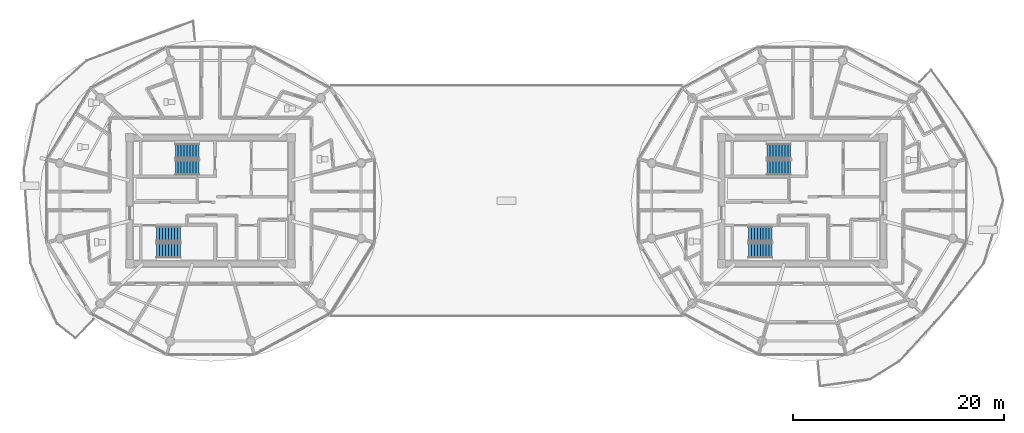
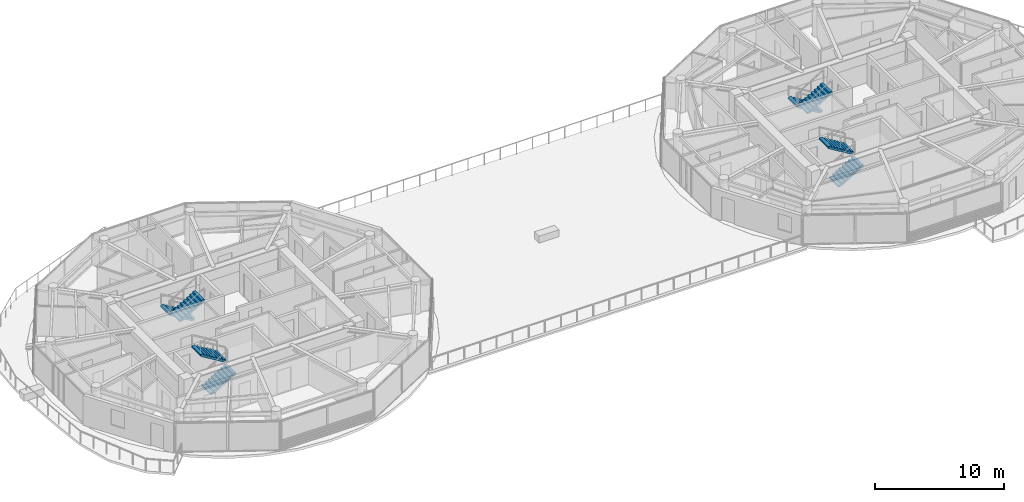
# One storey, part 20 of 30: 8 stair flights, 4 elements without a shape of their own.
"""IFC4 building model written with IfcOpenShell, lengths in metres."""

from ifc_helpers import new_model, si_unit, direction, frame, origin, place, context, subcontext, project, spatial, polyline, outline, extrude, material, type_object, element, aggregate, save


model = new_model("IFC4")

# Units and contexts
model_context = context("Model", 3, precision=1e-05, world=origin(), true_north=direction((0.0, 1.0)))
body_context = subcontext(model_context, "Body", "Model", "MODEL_VIEW")
ifc_project = project(units=[si_unit("LENGTHUNIT", "METRE"), si_unit("AREAUNIT", "SQUARE_METRE"), si_unit("VOLUMEUNIT", "CUBIC_METRE"), si_unit("PLANEANGLEUNIT", "RADIAN"), si_unit("MASSUNIT", "GRAM", prefix="KILO")], contexts=[model_context])

# Site, building, storey
site_placement = place(None, origin())
site = spatial("IfcSite", under=ifc_project, at=site_placement, CompositionType="ELEMENT")
building_placement = place(site_placement, origin())
building = spatial("IfcBuilding", under=site, at=building_placement, Name="Norrkilde Senior Care Towers", CompositionType="ELEMENT")
storey_placement = place(building_placement, frame((0.0, 0.0, 232.199951171875)))
storey = spatial("IfcBuildingStorey", under=building, at=storey_placement, Name="L72", CompositionType="ELEMENT", Elevation=232.199951171875)

# Stair, stair flights
ifc_material = material(Name="Concrete C45/55", Category="concrete")
stair_type = type_object("IfcStairType", Name="Core Protected Dogleg Stair Typical 3050", PredefinedType="HALF_TURN_STAIR", material=ifc_material)
stair_1_placement = place(storey_placement, origin())
stair_1 = element("IfcStair", 1, at=stair_1_placement, inside=storey, type_object=stair_type, Name="L72 Protected Core Stair W1", PredefinedType="HALF_TURN_STAIR")
stair_flight_type = type_object("IfcStairFlightType", Name="Core Protected Dogleg Stair Typical 3050 Flight", PredefinedType="STRAIGHT", material=ifc_material)
stair_flight_1_placement = place(storey_placement, frame((-29.10009765625, 4.699951171875, 0.0), z_axis=(0.0, 0.0, 1.0), x_axis=(-1.0, 0.0, 0.0)))
stair_flight_1 = element("IfcStairFlight", 2, at=stair_flight_1_placement, type_object=stair_flight_type, Name="ST-W1 flight 1", NumberOfRisers=9, NumberOfTreads=8, PredefinedType="STRAIGHT", RiserHeight=0.169444444, TreadLength=0.28, context=body_context, shape_type="SweptSolid", body=[
    extrude(outline(polyline([(0.0, 0.0), (0.0, 0.16943359375), (0.280029296875, 0.16943359375), (0.280029296875, 0.3388671875), (0.56005859375, 0.3388671875), (0.56005859375, 0.50830078125), (0.840087890625, 0.50830078125), (0.840087890625, 0.677734375), (1.1201171875, 0.677734375), (1.1201171875, 0.84716796875), (1.39990234375, 0.84716796875), (1.39990234375, 1.0166015625), (1.679931640625, 1.0166015625), (1.679931640625, 1.18603515625), (1.9599609375, 1.18603515625), (1.9599609375, 1.35546875), (2.239990234375, 1.35546875), (2.239990234375, 1.52490234375), (2.239990234375, 1.180419921875), (0.28955078125, 0.0), (0.0, 0.0)])), frame((0.0, 0.699951171875, 0.0), z_axis=(0.0, -1.0, 0.0), x_axis=(1.0, 0.0, 0.0)), (0.0, 0.0, 1.0), 1.39990234375),
])
stair_flight_2_placement = place(storey_placement, frame((-31.340087890625, 3.14990234375, 1.525146484375), z_axis=(0.0, 0.0, 1.0), x_axis=(1.0, 0.0, 0.0)))
stair_flight_2 = element("IfcStairFlight", 3, at=stair_flight_2_placement, type_object=stair_flight_type, Name="ST-W1 flight 2", NumberOfRisers=9, NumberOfTreads=8, PredefinedType="STRAIGHT", RiserHeight=0.169444444, TreadLength=0.28, context=body_context, shape_type="SweptSolid", body=[
    extrude(outline(polyline([(0.0, 0.0), (0.0, 0.16943359375), (0.280029296875, 0.16943359375), (0.280029296875, 0.3388671875), (0.56005859375, 0.3388671875), (0.56005859375, 0.50830078125), (0.840087890625, 0.50830078125), (0.840087890625, 0.677734375), (1.1201171875, 0.677734375), (1.1201171875, 0.84716796875), (1.39990234375, 0.84716796875), (1.39990234375, 1.0166015625), (1.679931640625, 1.0166015625), (1.679931640625, 1.18603515625), (1.9599609375, 1.18603515625), (1.9599609375, 1.35546875), (2.239990234375, 1.35546875), (2.239990234375, 1.52490234375), (2.239990234375, 1.180419921875), (0.28955078125, 0.0), (0.0, 0.0)])), frame((0.0, 0.699951171875, 0.0), z_axis=(0.0, -1.0, 0.0), x_axis=(1.0, 0.0, 0.0)), (0.0, 0.0, 1.0), 1.39990234375),
])
aggregate(stair_1, [stair_flight_1, stair_flight_2])

stair_2_placement = place(storey_placement, origin())
stair_2 = element("IfcStair", 4, at=stair_2_placement, inside=storey, type_object=stair_type, Name="L72 Protected Core Stair W2", PredefinedType="HALF_TURN_STAIR")
stair_flight_3_placement = place(storey_placement, frame((-33.10009765625, -4.699951171875, 0.0), z_axis=(0.0, 0.0, 1.0), x_axis=(1.0, 0.0, 0.0)))
stair_flight_3 = element("IfcStairFlight", 5, at=stair_flight_3_placement, type_object=stair_flight_type, Name="ST-W2 flight 1", NumberOfRisers=9, NumberOfTreads=8, PredefinedType="STRAIGHT", RiserHeight=0.169444444, TreadLength=0.28, context=body_context, shape_type="SweptSolid", body=[
    extrude(outline(polyline([(0.0, 0.0), (0.0, 0.16943359375), (0.280029296875, 0.16943359375), (0.280029296875, 0.3388671875), (0.56005859375, 0.3388671875), (0.56005859375, 0.50830078125), (0.840087890625, 0.50830078125), (0.840087890625, 0.677734375), (1.1201171875, 0.677734375), (1.1201171875, 0.84716796875), (1.39990234375, 0.84716796875), (1.39990234375, 1.0166015625), (1.679931640625, 1.0166015625), (1.679931640625, 1.18603515625), (1.9599609375, 1.18603515625), (1.9599609375, 1.35546875), (2.239990234375, 1.35546875), (2.239990234375, 1.52490234375), (2.239990234375, 1.180419921875), (0.28955078125, 0.0), (0.0, 0.0)])), frame((0.0, 0.699951171875, 0.0), z_axis=(0.0, -1.0, 0.0), x_axis=(1.0, 0.0, 0.0)), (0.0, 0.0, 1.0), 1.39990234375),
])
stair_flight_4_placement = place(storey_placement, frame((-30.860107421875, -3.14990234375, 1.525146484375), z_axis=(0.0, 0.0, 1.0), x_axis=(-1.0, 0.0, 0.0)))
stair_flight_4 = element("IfcStairFlight", 6, at=stair_flight_4_placement, type_object=stair_flight_type, Name="ST-W2 flight 2", NumberOfRisers=9, NumberOfTreads=8, PredefinedType="STRAIGHT", RiserHeight=0.169444444, TreadLength=0.28, context=body_context, shape_type="SweptSolid", body=[
    extrude(outline(polyline([(0.0, 0.0), (0.0, 0.16943359375), (0.280029296875, 0.16943359375), (0.280029296875, 0.3388671875), (0.56005859375, 0.3388671875), (0.56005859375, 0.50830078125), (0.840087890625, 0.50830078125), (0.840087890625, 0.677734375), (1.1201171875, 0.677734375), (1.1201171875, 0.84716796875), (1.39990234375, 0.84716796875), (1.39990234375, 1.0166015625), (1.679931640625, 1.0166015625), (1.679931640625, 1.18603515625), (1.9599609375, 1.18603515625), (1.9599609375, 1.35546875), (2.239990234375, 1.35546875), (2.239990234375, 1.52490234375), (2.239990234375, 1.180419921875), (0.28955078125, 0.0), (0.0, 0.0)])), frame((0.0, 0.699951171875, 0.0), z_axis=(0.0, -1.0, 0.0), x_axis=(1.0, 0.0, 0.0)), (0.0, 0.0, 1.0), 1.39990234375),
])
aggregate(stair_2, [stair_flight_3, stair_flight_4])

stair_3_placement = place(storey_placement, origin())
stair_3 = element("IfcStair", 7, at=stair_3_placement, inside=storey, type_object=stair_type, Name="L72 Protected Core Stair E1", PredefinedType="HALF_TURN_STAIR")
stair_flight_5_placement = place(storey_placement, frame((26.89990234375, 4.699951171875, 0.0), z_axis=(0.0, 0.0, 1.0), x_axis=(-1.0, 0.0, 0.0)))
stair_flight_5 = element("IfcStairFlight", 8, at=stair_flight_5_placement, type_object=stair_flight_type, Name="ST-E1 flight 1", NumberOfRisers=9, NumberOfTreads=8, PredefinedType="STRAIGHT", RiserHeight=0.169444444, TreadLength=0.28, context=body_context, shape_type="SweptSolid", body=[
    extrude(outline(polyline([(0.0, 0.0), (0.0, 0.16943359375), (0.280029296875, 0.16943359375), (0.280029296875, 0.3388671875), (0.56005859375, 0.3388671875), (0.56005859375, 0.50830078125), (0.840087890625, 0.50830078125), (0.840087890625, 0.677734375), (1.1201171875, 0.677734375), (1.1201171875, 0.84716796875), (1.39990234375, 0.84716796875), (1.39990234375, 1.0166015625), (1.679931640625, 1.0166015625), (1.679931640625, 1.18603515625), (1.9599609375, 1.18603515625), (1.9599609375, 1.35546875), (2.239990234375, 1.35546875), (2.239990234375, 1.52490234375), (2.239990234375, 1.180419921875), (0.28955078125, 0.0), (0.0, 0.0)])), frame((0.0, 0.699951171875, 0.0), z_axis=(0.0, -1.0, 0.0), x_axis=(1.0, 0.0, 0.0)), (0.0, 0.0, 1.0), 1.39990234375),
])
stair_flight_6_placement = place(storey_placement, frame((24.659912109375, 3.14990234375, 1.525146484375), z_axis=(0.0, 0.0, 1.0), x_axis=(1.0, 0.0, 0.0)))
stair_flight_6 = element("IfcStairFlight", 9, at=stair_flight_6_placement, type_object=stair_flight_type, Name="ST-E1 flight 2", NumberOfRisers=9, NumberOfTreads=8, PredefinedType="STRAIGHT", RiserHeight=0.169444444, TreadLength=0.28, context=body_context, shape_type="SweptSolid", body=[
    extrude(outline(polyline([(0.0, 0.0), (0.0, 0.16943359375), (0.280029296875, 0.16943359375), (0.280029296875, 0.3388671875), (0.56005859375, 0.3388671875), (0.56005859375, 0.50830078125), (0.840087890625, 0.50830078125), (0.840087890625, 0.677734375), (1.1201171875, 0.677734375), (1.1201171875, 0.84716796875), (1.39990234375, 0.84716796875), (1.39990234375, 1.0166015625), (1.679931640625, 1.0166015625), (1.679931640625, 1.18603515625), (1.9599609375, 1.18603515625), (1.9599609375, 1.35546875), (2.239990234375, 1.35546875), (2.239990234375, 1.52490234375), (2.239990234375, 1.180419921875), (0.28955078125, 0.0), (0.0, 0.0)])), frame((0.0, 0.699951171875, 0.0), z_axis=(0.0, -1.0, 0.0), x_axis=(1.0, 0.0, 0.0)), (0.0, 0.0, 1.0), 1.39990234375),
])
aggregate(stair_3, [stair_flight_5, stair_flight_6])

stair_4_placement = place(storey_placement, origin())
stair_4 = element("IfcStair", 10, at=stair_4_placement, inside=storey, type_object=stair_type, Name="L72 Protected Core Stair E2", PredefinedType="HALF_TURN_STAIR")
stair_flight_7_placement = place(storey_placement, frame((22.89990234375, -4.699951171875, 0.0), z_axis=(0.0, 0.0, 1.0), x_axis=(1.0, 0.0, 0.0)))
stair_flight_7 = element("IfcStairFlight", 11, at=stair_flight_7_placement, type_object=stair_flight_type, Name="ST-E2 flight 1", NumberOfRisers=9, NumberOfTreads=8, PredefinedType="STRAIGHT", RiserHeight=0.169444444, TreadLength=0.28, context=body_context, shape_type="SweptSolid", body=[
    extrude(outline(polyline([(0.0, 0.0), (0.0, 0.16943359375), (0.280029296875, 0.16943359375), (0.280029296875, 0.3388671875), (0.56005859375, 0.3388671875), (0.56005859375, 0.50830078125), (0.840087890625, 0.50830078125), (0.840087890625, 0.677734375), (1.1201171875, 0.677734375), (1.1201171875, 0.84716796875), (1.39990234375, 0.84716796875), (1.39990234375, 1.0166015625), (1.679931640625, 1.0166015625), (1.679931640625, 1.18603515625), (1.9599609375, 1.18603515625), (1.9599609375, 1.35546875), (2.239990234375, 1.35546875), (2.239990234375, 1.52490234375), (2.239990234375, 1.180419921875), (0.28955078125, 0.0), (0.0, 0.0)])), frame((0.0, 0.699951171875, 0.0), z_axis=(0.0, -1.0, 0.0), x_axis=(1.0, 0.0, 0.0)), (0.0, 0.0, 1.0), 1.39990234375),
])
stair_flight_8_placement = place(storey_placement, frame((25.139892578125, -3.14990234375, 1.525146484375), z_axis=(0.0, 0.0, 1.0), x_axis=(-1.0, 0.0, 0.0)))
stair_flight_8 = element("IfcStairFlight", 12, at=stair_flight_8_placement, type_object=stair_flight_type, Name="ST-E2 flight 2", NumberOfRisers=9, NumberOfTreads=8, PredefinedType="STRAIGHT", RiserHeight=0.169444444, TreadLength=0.28, context=body_context, shape_type="SweptSolid", body=[
    extrude(outline(polyline([(0.0, 0.0), (0.0, 0.16943359375), (0.280029296875, 0.16943359375), (0.280029296875, 0.3388671875), (0.56005859375, 0.3388671875), (0.56005859375, 0.50830078125), (0.840087890625, 0.50830078125), (0.840087890625, 0.677734375), (1.1201171875, 0.677734375), (1.1201171875, 0.84716796875), (1.39990234375, 0.84716796875), (1.39990234375, 1.0166015625), (1.679931640625, 1.0166015625), (1.679931640625, 1.18603515625), (1.9599609375, 1.18603515625), (1.9599609375, 1.35546875), (2.239990234375, 1.35546875), (2.239990234375, 1.52490234375), (2.239990234375, 1.180419921875), (0.28955078125, 0.0), (0.0, 0.0)])), frame((0.0, 0.699951171875, 0.0), z_axis=(0.0, -1.0, 0.0), x_axis=(1.0, 0.0, 0.0)), (0.0, 0.0, 1.0), 1.39990234375),
])
aggregate(stair_4, [stair_flight_7, stair_flight_8])

save(model, "model.ifc")
